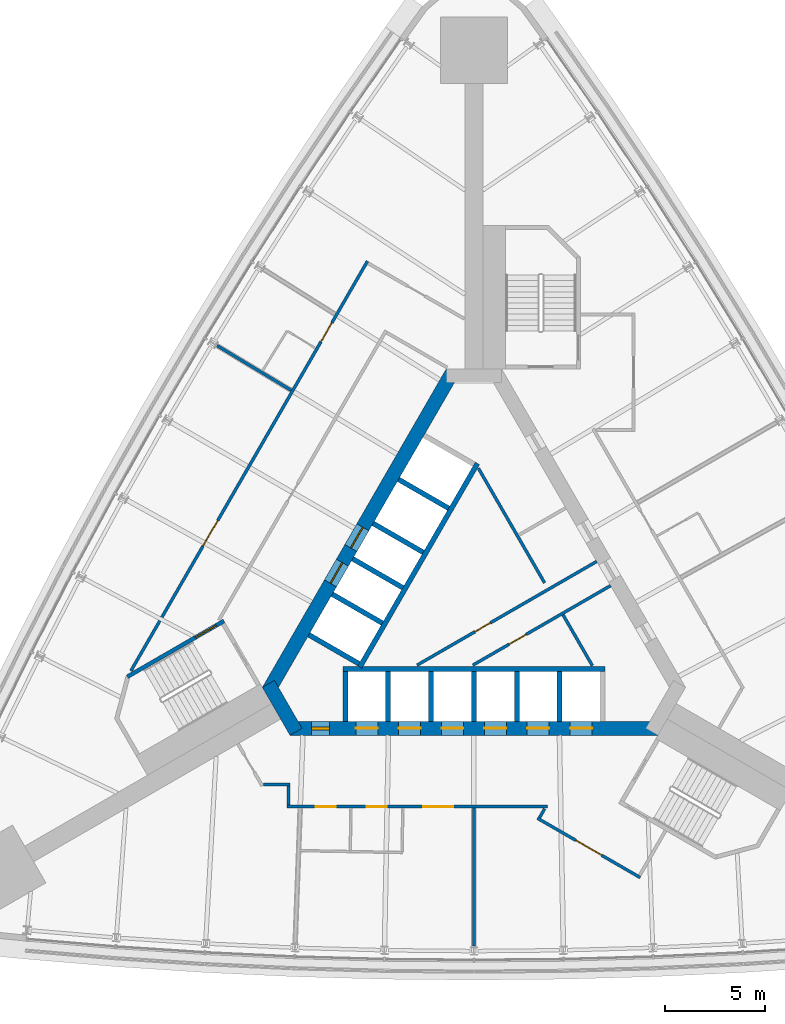
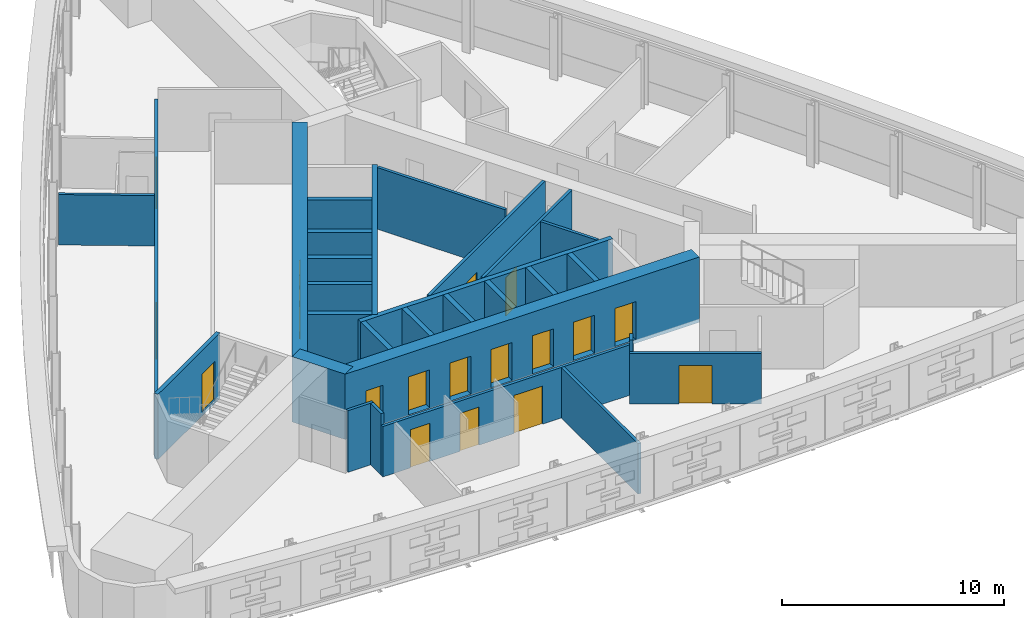
# One storey, part 10 of 14: 29 walls, 18 doors, 18 openings.
"""IFC4 building model written with IfcOpenShell, lengths in metres."""

from ifc_helpers import new_model, si_unit, direction, frame, frame_2d, origin, place, context, subcontext, project, spatial, rectangle, extrude, material, layer, layer_set, type_object, element, fill, save


model = new_model("IFC4")

# Units and contexts
model_context = context("Model", 3, precision=1e-05, world=origin(), true_north=direction((0.0, 1.0)))
body_context = subcontext(model_context, "Body", "Model", "MODEL_VIEW")
ifc_project = project(units=[si_unit("LENGTHUNIT", "METRE"), si_unit("AREAUNIT", "SQUARE_METRE"), si_unit("VOLUMEUNIT", "CUBIC_METRE"), si_unit("PLANEANGLEUNIT", "RADIAN"), si_unit("MASSUNIT", "GRAM", prefix="KILO")], contexts=[model_context])

# Site, building, storey
site_placement = place(None, origin())
site = spatial("IfcSite", under=ifc_project, at=site_placement, CompositionType="ELEMENT")
building_placement = place(site_placement, origin())
building = spatial("IfcBuilding", under=site, at=building_placement, Name="Noor Cloister Tower", CompositionType="ELEMENT")
storey_placement = place(building_placement, frame((0.0, 0.0, 42.0)))
storey = spatial("IfcBuildingStorey", under=building, at=storey_placement, Name="L10", CompositionType="ELEMENT", Elevation=42.0)

# Wall, opening, door
ifc_material_1 = material(Name="Concrete C30/37", Category="concrete")
ifc_layer_1 = layer(ifc_material_1, 0.14990234375)
ifc_layer_set_1 = layer_set([ifc_layer_1], Name="Core partition 150 C30/37")
wall_type_1 = type_object("IfcWallType", Name="Core partition 150 C30/37", PredefinedType="PARTITIONING", material=ifc_layer_set_1)
wall_1_placement = place(storey_placement, frame((-2.8544921875, -3.4130859375, 0.0), z_axis=(0.0, 0.0, 1.0), x_axis=(0.866030102318, 0.499991861813, 0.0)))
wall_1 = element("IfcWall", 1, at=wall_1_placement, inside=storey, type_object=wall_type_1, Name="Core room partition L10 1", PredefinedType="PARTITIONING", context=body_context, shape_type="SweptSolid", body=[
    extrude(rectangle(XDim=10.406982421875, YDim=0.14990234375, at=frame_2d((5.20361328125, 0.0))), origin(), (0.0, 0.0, 1.0), 3.39990234375),
])
opening_1_placement = place(wall_1_placement, frame((3.3544921875, 0.0, 0.0)))
opening_1 = element("IfcOpeningElement", 2, at=opening_1_placement, cuts=wall_1, Name="Opening L10-906", PredefinedType="OPENING", context=body_context, shape_type="SweptSolid", body=[
    extrude(rectangle(XDim=0.89990234375, YDim=2.10009765625, at=frame_2d((0.449951171875, 1.050048828125))), frame((0.0, 0.0849609375, 0.0), z_axis=(0.0, -1.0, 0.0), x_axis=(1.0, 0.0, 0.0)), (0.0, 0.0, 1.0), 0.169921875),
])
ifc_material_2 = material(Name="Steel", Category="steel")
door_type_1 = type_object("IfcDoorType", Name="Core door 900 x 2100 FD120", OperationType="SINGLE_SWING_LEFT", PredefinedType="DOOR", material=ifc_material_2)
door_1_placement = place(opening_1_placement, origin())
door_1 = element("IfcDoor", 3, at=door_1_placement, inside=storey, type_object=door_type_1, Name="Core door 6 L10", OperationType="SINGLE_SWING_RIGHT", OverallHeight=2.10009765625, OverallWidth=0.89990234375, PredefinedType="DOOR", context=body_context, shape_type="SweptSolid", body=[
    extrude(rectangle(XDim=0.89990234375, YDim=2.10009765625, at=frame_2d((0.449951171875, 1.050048828125))), frame((0.0, 0.02490234375, 0.0), z_axis=(0.0, -1.0, 0.0), x_axis=(1.0, 0.0, 0.0)), (0.0, 0.0, 1.0), 0.050048828125),
])
fill(opening_1, door_1)

# Wall
wall_2_placement = place(storey_placement, frame((5.944091796875, -3.439208984375, 0.0), z_axis=(0.0, 0.0, 1.0), x_axis=(-0.499997367627, 0.86602692358, 0.0)))
element("IfcWall", 4, at=wall_2_placement, inside=storey, type_object=wall_type_1, Name="Core room partition L10 2", PredefinedType="PARTITIONING", context=body_context, shape_type="SweptSolid", body=[
    extrude(rectangle(XDim=2.94677734375, YDim=0.14990234375, at=frame_2d((1.473388671875, 0.0))), origin(), (0.0, 0.0, 1.0), 3.39990234375),
])

# Wall, opening, door
wall_3_placement = place(storey_placement, frame((-0.054443359375, -3.4130859375, 0.0), z_axis=(0.0, 0.0, 1.0), x_axis=(0.866026668906, 0.499997808738, 0.0)))
wall_3 = element("IfcWall", 5, at=wall_3_placement, inside=storey, type_object=wall_type_1, Name="Core room partition L10 3", PredefinedType="PARTITIONING", context=body_context, shape_type="SweptSolid", body=[
    extrude(rectangle(XDim=7.98193359375, YDim=0.14990234375, at=frame_2d((3.990966796875, 0.0))), origin(), (0.0, 0.0, 1.0), 3.39990234375),
])
opening_2_placement = place(wall_3_placement, frame((2.092041015625, 0.0, 0.0)))
opening_2 = element("IfcOpeningElement", 6, at=opening_2_placement, cuts=wall_3, Name="Opening L10-905", PredefinedType="OPENING", context=body_context, shape_type="SweptSolid", body=[
    extrude(rectangle(XDim=1.0, YDim=2.10009765625, at=frame_2d((0.5, 1.050048828125))), frame((0.0, 0.0849609375, 0.0), z_axis=(0.0, -1.0, 0.0), x_axis=(1.0, 0.0, 0.0)), (0.0, 0.0, 1.0), 0.169921875),
])
ifc_material_3 = material(Name="Steel", Category="steel")
door_type_2 = type_object("IfcDoorType", Name="Core door 1000 x 2100 FD60", OperationType="SINGLE_SWING_LEFT", PredefinedType="DOOR", material=ifc_material_3)
door_2_placement = place(opening_2_placement, origin())
door_2 = element("IfcDoor", 7, at=door_2_placement, inside=storey, type_object=door_type_2, Name="Core door 5 L10", OperationType="SINGLE_SWING_LEFT", OverallHeight=2.10009765625, OverallWidth=1.0, PredefinedType="DOOR", context=body_context, shape_type="SweptSolid", body=[
    extrude(rectangle(XDim=1.0, YDim=2.10009765625, at=frame_2d((0.5, 1.050048828125))), frame((0.0, 0.02490234375, 0.0), z_axis=(0.0, -1.0, 0.0), x_axis=(1.0, 0.0, 0.0)), (0.0, 0.0, 1.0), 0.050048828125),
])
fill(opening_2, door_2)

# Wall
wall_4_placement = place(storey_placement, frame((3.5458984375, 0.715087890625, 0.0), z_axis=(0.0, 0.0, 1.0), x_axis=(-0.50002895357, 0.866008686788, 0.0)))
element("IfcWall", 8, at=wall_4_placement, inside=storey, type_object=wall_type_1, Name="Core room partition L10 4", PredefinedType="PARTITIONING", context=body_context, shape_type="SweptSolid", body=[
    extrude(rectangle(XDim=6.64208984375, YDim=0.14990234375, at=frame_2d((3.321044921875, 0.0))), origin(), (0.0, 0.0, 1.0), 3.39990234375),
])

# Wall, openings, doors
ifc_material_4 = material(Name="Concrete C80/95", Category="concrete")
ifc_layer_2 = layer(ifc_material_4, 0.699951171875)
ifc_layer_set_2 = layer_set([ifc_layer_2], Name="Core wall 700 C80/95")
wall_type_2 = type_object("IfcWallType", Name="Core wall 700 C80/95", PredefinedType="SHEAR", material=ifc_layer_set_2)
wall_5_placement = place(storey_placement, frame((-9.228759765625, -6.578125, -0.199951171875), z_axis=(0.0, 0.0, 1.0), x_axis=(1.0, 0.0, 0.0)))
wall_5 = element("IfcWall", 9, at=wall_5_placement, inside=storey, type_object=wall_type_2, Name="Core wall L10 1", PredefinedType="SHEAR", context=body_context, shape_type="SweptSolid", body=[
    extrude(rectangle(XDim=18.45751953125, YDim=0.699951171875, at=frame_2d((9.228759765625, 0.0))), origin(), (0.0, 0.0, 1.0), 3.599853515625),
])
opening_3_placement = place(wall_5_placement, frame((3.3037109375, 0.0, 0.199951171875)))
opening_3 = element("IfcOpeningElement", 10, at=opening_3_placement, cuts=wall_5, Name="Opening L10-LR1", PredefinedType="OPENING", context=body_context, shape_type="SweptSolid", body=[
    extrude(rectangle(XDim=1.10009765625, YDim=2.10009765625, at=frame_2d((0.550048828125, 1.050048828125))), frame((0.0, 0.35986328125, 0.0), z_axis=(0.0, -1.0, 0.0), x_axis=(1.0, 0.0, 0.0)), (0.0, 0.0, 1.0), 0.719970703125),
])
opening_4_placement = place(wall_5_placement, frame((5.45361328125, 0.0, 0.199951171875)))
opening_4 = element("IfcOpeningElement", 11, at=opening_4_placement, cuts=wall_5, Name="Opening L10-LR2", PredefinedType="OPENING", context=body_context, shape_type="SweptSolid", body=[
    extrude(rectangle(XDim=1.10009765625, YDim=2.10009765625, at=frame_2d((0.550048828125, 1.050048828125))), frame((0.0, 0.35986328125, 0.0), z_axis=(0.0, -1.0, 0.0), x_axis=(1.0, 0.0, 0.0)), (0.0, 0.0, 1.0), 0.719970703125),
])
opening_5_placement = place(wall_5_placement, frame((7.603759765625, 0.0, 0.199951171875)))
opening_5 = element("IfcOpeningElement", 12, at=opening_5_placement, cuts=wall_5, Name="Opening L10-LR3", PredefinedType="OPENING", context=body_context, shape_type="SweptSolid", body=[
    extrude(rectangle(XDim=1.10009765625, YDim=2.10009765625, at=frame_2d((0.550048828125, 1.050048828125))), frame((0.0, 0.35986328125, 0.0), z_axis=(0.0, -1.0, 0.0), x_axis=(1.0, 0.0, 0.0)), (0.0, 0.0, 1.0), 0.719970703125),
])
opening_6_placement = place(wall_5_placement, frame((9.753662109375, 0.0, 0.199951171875)))
opening_6 = element("IfcOpeningElement", 13, at=opening_6_placement, cuts=wall_5, Name="Opening L10-LR4", PredefinedType="OPENING", context=body_context, shape_type="SweptSolid", body=[
    extrude(rectangle(XDim=1.10009765625, YDim=2.10009765625, at=frame_2d((0.550048828125, 1.050048828125))), frame((0.0, 0.35986328125, 0.0), z_axis=(0.0, -1.0, 0.0), x_axis=(1.0, 0.0, 0.0)), (0.0, 0.0, 1.0), 0.719970703125),
])
opening_7_placement = place(wall_5_placement, frame((11.90380859375, 0.0, 0.199951171875)))
opening_7 = element("IfcOpeningElement", 14, at=opening_7_placement, cuts=wall_5, Name="Opening L10-LR5", PredefinedType="OPENING", context=body_context, shape_type="SweptSolid", body=[
    extrude(rectangle(XDim=1.10009765625, YDim=2.10009765625, at=frame_2d((0.550048828125, 1.050048828125))), frame((0.0, 0.35986328125, 0.0), z_axis=(0.0, -1.0, 0.0), x_axis=(1.0, 0.0, 0.0)), (0.0, 0.0, 1.0), 0.719970703125),
])
opening_8_placement = place(wall_5_placement, frame((14.0537109375, 0.0, 0.199951171875)))
opening_8 = element("IfcOpeningElement", 15, at=opening_8_placement, cuts=wall_5, Name="Opening L10-LR6", PredefinedType="OPENING", context=body_context, shape_type="SweptSolid", body=[
    extrude(rectangle(XDim=1.10009765625, YDim=2.10009765625, at=frame_2d((0.550048828125, 1.050048828125))), frame((0.0, 0.35986328125, 0.0), z_axis=(0.0, -1.0, 0.0), x_axis=(1.0, 0.0, 0.0)), (0.0, 0.0, 1.0), 0.719970703125),
])
opening_9_placement = place(wall_5_placement, frame((1.078857421875, 0.0, 0.199951171875)))
opening_9 = element("IfcOpeningElement", 16, at=opening_9_placement, cuts=wall_5, Name="Opening L10-907", PredefinedType="OPENING", context=body_context, shape_type="SweptSolid", body=[
    extrude(rectangle(XDim=0.89990234375, YDim=2.10009765625, at=frame_2d((0.449951171875, 1.050048828125))), frame((0.0, 0.35986328125, 0.0), z_axis=(0.0, -1.0, 0.0), x_axis=(1.0, 0.0, 0.0)), (0.0, 0.0, 1.0), 0.719970703125),
])
ifc_material_5 = material(Name="Steel", Category="steel")
door_type_3 = type_object("IfcDoorType", Name="Core door 900 x 2100 FD60", OperationType="SINGLE_SWING_LEFT", PredefinedType="DOOR", material=ifc_material_5)
door_3_placement = place(opening_9_placement, origin())
door_3 = element("IfcDoor", 17, at=door_3_placement, inside=storey, type_object=door_type_3, Name="Core door 7 L10", OperationType="SINGLE_SWING_LEFT", OverallHeight=2.10009765625, OverallWidth=0.89990234375, PredefinedType="DOOR", context=body_context, shape_type="SweptSolid", body=[
    extrude(rectangle(XDim=0.89990234375, YDim=2.10009765625, at=frame_2d((0.449951171875, 1.050048828125))), frame((0.0, 0.074951171875, 0.0), z_axis=(0.0, -1.0, 0.0), x_axis=(1.0, 0.0, 0.0)), (0.0, 0.0, 1.0), 0.14990234375),
])
fill(opening_9, door_3)
ifc_material_6 = material(Name="Stainless steel", Category="steel")
door_type_4 = type_object("IfcDoorType", Name="Lift landing door 1100 x 2100", OperationType="DOUBLE_DOOR_SLIDING", PredefinedType="DOOR", material=ifc_material_6)
door_4_placement = place(opening_3_placement, origin())
door_4 = element("IfcDoor", 18, at=door_4_placement, inside=storey, type_object=door_type_4, Name="Landing door LR1 L10", OperationType="DOUBLE_DOOR_SLIDING", OverallHeight=2.10009765625, OverallWidth=1.10009765625, PredefinedType="DOOR", context=body_context, shape_type="SweptSolid", body=[
    extrude(rectangle(XDim=1.10009765625, YDim=2.10009765625, at=frame_2d((0.550048828125, 1.050048828125))), frame((0.0, 0.02490234375, 0.0), z_axis=(0.0, -1.0, 0.0), x_axis=(1.0, 0.0, 0.0)), (0.0, 0.0, 1.0), 0.050048828125),
])
fill(opening_3, door_4)
door_5_placement = place(opening_4_placement, origin())
door_5 = element("IfcDoor", 19, at=door_5_placement, inside=storey, type_object=door_type_4, Name="Landing door LR2 L10", OperationType="DOUBLE_DOOR_SLIDING", OverallHeight=2.10009765625, OverallWidth=1.10009765625, PredefinedType="DOOR", context=body_context, shape_type="SweptSolid", body=[
    extrude(rectangle(XDim=1.10009765625, YDim=2.10009765625, at=frame_2d((0.550048828125, 1.050048828125))), frame((0.0, 0.02490234375, 0.0), z_axis=(0.0, -1.0, 0.0), x_axis=(1.0, 0.0, 0.0)), (0.0, 0.0, 1.0), 0.050048828125),
])
fill(opening_4, door_5)
door_6_placement = place(opening_5_placement, origin())
door_6 = element("IfcDoor", 20, at=door_6_placement, inside=storey, type_object=door_type_4, Name="Landing door LR3 L10", OperationType="DOUBLE_DOOR_SLIDING", OverallHeight=2.10009765625, OverallWidth=1.10009765625, PredefinedType="DOOR", context=body_context, shape_type="SweptSolid", body=[
    extrude(rectangle(XDim=1.10009765625, YDim=2.10009765625, at=frame_2d((0.550048828125, 1.050048828125))), frame((0.0, 0.02490234375, 0.0), z_axis=(0.0, -1.0, 0.0), x_axis=(1.0, 0.0, 0.0)), (0.0, 0.0, 1.0), 0.050048828125),
])
fill(opening_5, door_6)
door_7_placement = place(opening_6_placement, origin())
door_7 = element("IfcDoor", 21, at=door_7_placement, inside=storey, type_object=door_type_4, Name="Landing door LR4 L10", OperationType="DOUBLE_DOOR_SLIDING", OverallHeight=2.10009765625, OverallWidth=1.10009765625, PredefinedType="DOOR", context=body_context, shape_type="SweptSolid", body=[
    extrude(rectangle(XDim=1.10009765625, YDim=2.10009765625, at=frame_2d((0.550048828125, 1.050048828125))), frame((0.0, 0.02490234375, 0.0), z_axis=(0.0, -1.0, 0.0), x_axis=(1.0, 0.0, 0.0)), (0.0, 0.0, 1.0), 0.050048828125),
])
fill(opening_6, door_7)
door_8_placement = place(opening_7_placement, origin())
door_8 = element("IfcDoor", 22, at=door_8_placement, inside=storey, type_object=door_type_4, Name="Landing door LR5 L10", OperationType="DOUBLE_DOOR_SLIDING", OverallHeight=2.10009765625, OverallWidth=1.10009765625, PredefinedType="DOOR", context=body_context, shape_type="SweptSolid", body=[
    extrude(rectangle(XDim=1.10009765625, YDim=2.10009765625, at=frame_2d((0.550048828125, 1.050048828125))), frame((0.0, 0.02490234375, 0.0), z_axis=(0.0, -1.0, 0.0), x_axis=(1.0, 0.0, 0.0)), (0.0, 0.0, 1.0), 0.050048828125),
])
fill(opening_7, door_8)
door_9_placement = place(opening_8_placement, origin())
door_9 = element("IfcDoor", 23, at=door_9_placement, inside=storey, type_object=door_type_4, Name="Landing door LR6 L10", OperationType="DOUBLE_DOOR_SLIDING", OverallHeight=2.10009765625, OverallWidth=1.10009765625, PredefinedType="DOOR", context=body_context, shape_type="SweptSolid", body=[
    extrude(rectangle(XDim=1.10009765625, YDim=2.10009765625, at=frame_2d((0.550048828125, 1.050048828125))), frame((0.0, 0.02490234375, 0.0), z_axis=(0.0, -1.0, 0.0), x_axis=(1.0, 0.0, 0.0)), (0.0, 0.0, 1.0), 0.050048828125),
])
fill(opening_8, door_9)

wall_6_placement = place(storey_placement, frame((-1.08251953125, 11.281494140625, -0.199951171875), z_axis=(0.0, 0.0, 1.0), x_axis=(-0.500001446645, -0.866024568562, 0.0)))
wall_6 = element("IfcWall", 24, at=wall_6_placement, inside=storey, type_object=wall_type_2, Name="Core wall L10 5", PredefinedType="SHEAR", context=body_context, shape_type="SweptSolid", body=[
    extrude(rectangle(XDim=18.45751953125, YDim=0.699951171875, at=frame_2d((9.228759765625, 0.0))), origin(), (0.0, 0.0, 1.0), 3.599853515625),
])
opening_10_placement = place(wall_6_placement, frame((8.978759765625, 0.0, 0.199951171875)))
opening_10 = element("IfcOpeningElement", 25, at=opening_10_placement, cuts=wall_6, Name="Opening L10-FF1", PredefinedType="OPENING", context=body_context, shape_type="SweptSolid", body=[
    extrude(rectangle(XDim=1.199951171875, YDim=2.10009765625, at=frame_2d((0.60009765625, 1.050048828125))), frame((0.0, 0.35986328125, 0.0), z_axis=(0.0, -1.0, 0.0), x_axis=(1.0, 0.0, 0.0)), (0.0, 0.0, 1.0), 0.719970703125),
])
opening_11_placement = place(wall_6_placement, frame((11.02880859375, 0.0, 0.199951171875)))
opening_11 = element("IfcOpeningElement", 26, at=opening_11_placement, cuts=wall_6, Name="Opening L10-FF2", PredefinedType="OPENING", context=body_context, shape_type="SweptSolid", body=[
    extrude(rectangle(XDim=1.199951171875, YDim=2.10009765625, at=frame_2d((0.60009765625, 1.050048828125))), frame((0.0, 0.35986328125, 0.0), z_axis=(0.0, -1.0, 0.0), x_axis=(1.0, 0.0, 0.0)), (0.0, 0.0, 1.0), 0.719970703125),
])
ifc_material_7 = material(Name="Stainless steel", Category="steel")
door_type_5 = type_object("IfcDoorType", Name="Lift landing door 1200 x 2100", OperationType="DOUBLE_DOOR_SLIDING", PredefinedType="DOOR", material=ifc_material_7)
door_10_placement = place(opening_10_placement, origin())
door_10 = element("IfcDoor", 27, at=door_10_placement, inside=storey, type_object=door_type_5, Name="Landing door FF1 L10", OperationType="DOUBLE_DOOR_SLIDING", OverallHeight=2.10009765625, OverallWidth=1.199951171875, PredefinedType="DOOR", context=body_context, shape_type="SweptSolid", body=[
    extrude(rectangle(XDim=1.199951171875, YDim=2.10009765625, at=frame_2d((0.60009765625, 1.050048828125))), frame((0.0, 0.02490234375, 0.0), z_axis=(0.0, -1.0, 0.0), x_axis=(1.0, 0.0, 0.0)), (0.0, 0.0, 1.0), 0.050048828125),
])
fill(opening_10, door_10)
door_11_placement = place(opening_11_placement, origin())
door_11 = element("IfcDoor", 28, at=door_11_placement, inside=storey, type_object=door_type_5, Name="Landing door FF2 L10", OperationType="DOUBLE_DOOR_SLIDING", OverallHeight=2.10009765625, OverallWidth=1.199951171875, PredefinedType="DOOR", context=body_context, shape_type="SweptSolid", body=[
    extrude(rectangle(XDim=1.199951171875, YDim=2.10009765625, at=frame_2d((0.60009765625, 1.050048828125))), frame((0.0, 0.02490234375, 0.0), z_axis=(0.0, -1.0, 0.0), x_axis=(1.0, 0.0, 0.0)), (0.0, 0.0, 1.0), 0.050048828125),
])
fill(opening_11, door_11)

# Wall
wall_7_placement = place(storey_placement, frame((-10.311279296875, -4.353271484375, -0.199951171875), z_axis=(0.0, 0.0, 1.0), x_axis=(0.500042739161, -0.866000726912, 0.0)))
element("IfcWall", 29, at=wall_7_placement, inside=storey, type_object=wall_type_2, Name="Core wall L10 6", PredefinedType="SHEAR", context=body_context, shape_type="SweptSolid", body=[
    extrude(rectangle(XDim=2.771240234375, YDim=0.699951171875, at=frame_2d((1.3857421875, 0.0))), origin(), (0.0, 0.0, 1.0), 3.599853515625),
])

# Wall, openings, doors
ifc_material_8 = material(Name="Gypsum board partition on steel studs, 150 mm", Category="steel")
ifc_layer_3 = layer(ifc_material_8, 0.14990234375)
ifc_layer_set_3 = layer_set([ifc_layer_3], Name="Flat wall 150")
wall_type_3 = type_object("IfcWallType", Name="Flat wall 150", PredefinedType="PARTITIONING", material=ifc_layer_set_3)
wall_8_placement = place(storey_placement, frame((-17.208251953125, -3.69921875, 0.0), z_axis=(0.0, 0.0, 1.0), x_axis=(0.499997567621, 0.866026808115, 0.0)))
wall_8 = element("IfcWall", 30, at=wall_8_placement, inside=storey, type_object=wall_type_3, Name="Flat wall 150 L10 001", PredefinedType="PARTITIONING", context=body_context, shape_type="SweptSolid", body=[
    extrude(rectangle(XDim=23.736328125, YDim=0.14990234375, at=frame_2d((11.8681640625, 0.0))), origin(), (0.0, 0.0, 1.0), 2.778076171875),
])
opening_12_placement = place(wall_8_placement, frame((19.069580078125, 0.0, 0.0)))
opening_12 = element("IfcOpeningElement", 31, at=opening_12_placement, cuts=wall_8, Name="Opening L10-001", PredefinedType="OPENING", context=body_context, shape_type="SweptSolid", body=[
    extrude(rectangle(XDim=1.10009765625, YDim=2.10009765625, at=frame_2d((0.550048828125, 1.050048828125))), frame((0.0, 0.0849609375, 0.0), z_axis=(0.0, -1.0, 0.0), x_axis=(1.0, 0.0, 0.0)), (0.0, 0.0, 1.0), 0.169921875),
])
opening_13_placement = place(wall_8_placement, frame((7.224853515625, 0.0, 0.0)))
opening_13 = element("IfcOpeningElement", 32, at=opening_13_placement, cuts=wall_8, Name="Opening L10-002", PredefinedType="OPENING", context=body_context, shape_type="SweptSolid", body=[
    extrude(rectangle(XDim=1.5, YDim=2.10009765625, at=frame_2d((0.75, 1.050048828125))), frame((0.0, 0.0849609375, 0.0), z_axis=(0.0, -1.0, 0.0), x_axis=(1.0, 0.0, 0.0)), (0.0, 0.0, 1.0), 0.169921875),
])
ifc_material_9 = material(Name="Timber door leaf with steel frame", Category="steel")
door_type_6 = type_object("IfcDoorType", Name="Double door 1500 FD60", OperationType="NOTDEFINED", PredefinedType="DOOR", material=ifc_material_9)
door_12_placement = place(opening_13_placement, origin())
door_12 = element("IfcDoor", 33, at=door_12_placement, inside=storey, type_object=door_type_6, Name="Double door 1500 L10-002", OperationType="DOUBLE_DOOR_SINGLE_SWING", OverallHeight=2.10009765625, OverallWidth=1.5, PredefinedType="DOOR", context=body_context, shape_type="SweptSolid", body=[
    extrude(rectangle(XDim=1.5, YDim=2.10009765625, at=frame_2d((0.75, 1.050048828125))), frame((0.0, 0.02490234375, 0.0), z_axis=(0.0, -1.0, 0.0), x_axis=(1.0, 0.0, 0.0)), (0.0, 0.0, 1.0), 0.050048828125),
])
fill(opening_13, door_12)
ifc_material_10 = material(Name="Timber door leaf with steel frame", Category="steel")
door_type_7 = type_object("IfcDoorType", Name="Resident room door 1100", OperationType="NOTDEFINED", PredefinedType="DOOR", material=ifc_material_10)
door_13_placement = place(opening_12_placement, origin())
door_13 = element("IfcDoor", 34, at=door_13_placement, inside=storey, type_object=door_type_7, Name="Resident room door 1100 L10-001", OperationType="SINGLE_SWING_RIGHT", OverallHeight=2.10009765625, OverallWidth=1.10009765625, PredefinedType="DOOR", context=body_context, shape_type="SweptSolid", body=[
    extrude(rectangle(XDim=1.10009765625, YDim=2.10009765625, at=frame_2d((0.550048828125, 1.050048828125))), frame((0.0, 0.02490234375, 0.0), z_axis=(0.0, -1.0, 0.0), x_axis=(1.0, 0.0, 0.0)), (0.0, 0.0, 1.0), 0.050048828125),
])
fill(opening_12, door_13)

wall_9_placement = place(storey_placement, frame((3.68896484375, -10.503173828125, 0.0), z_axis=(0.0, 0.0, 1.0), x_axis=(-1.0, 0.0, 0.0)))
wall_9 = element("IfcWall", 35, at=wall_9_placement, inside=storey, type_object=wall_type_3, Name="Flat wall 150 L10 004", PredefinedType="PARTITIONING", context=body_context, shape_type="SweptSolid", body=[
    extrude(rectangle(XDim=13.067626953125, YDim=0.14990234375, at=frame_2d((6.53369140625, 0.0))), origin(), (0.0, 0.0, 1.0), 2.778076171875),
])
opening_14_placement = place(wall_9_placement, frame((10.61669921875, 0.0, 0.0)))
opening_14 = element("IfcOpeningElement", 36, at=opening_14_placement, cuts=wall_9, Name="Opening L10-006", PredefinedType="OPENING", context=body_context, shape_type="SweptSolid", body=[
    extrude(rectangle(XDim=1.0, YDim=2.10009765625, at=frame_2d((0.5, 1.050048828125))), frame((0.0, 0.0849609375, 0.0), z_axis=(0.0, -1.0, 0.0), x_axis=(1.0, 0.0, 0.0)), (0.0, 0.0, 1.0), 0.169921875),
])
opening_15_placement = place(wall_9_placement, frame((8.054443359375, 0.0, 0.0)))
opening_15 = element("IfcOpeningElement", 37, at=opening_15_placement, cuts=wall_9, Name="Opening L10-007", PredefinedType="OPENING", context=body_context, shape_type="SweptSolid", body=[
    extrude(rectangle(XDim=1.0, YDim=2.10009765625, at=frame_2d((0.5, 1.050048828125))), frame((0.0, 0.0849609375, 0.0), z_axis=(0.0, -1.0, 0.0), x_axis=(1.0, 0.0, 0.0)), (0.0, 0.0, 1.0), 0.169921875),
])
opening_16_placement = place(wall_9_placement, frame((4.734130859375, 0.0, 0.0)))
opening_16 = element("IfcOpeningElement", 38, at=opening_16_placement, cuts=wall_9, Name="Opening L10-008", PredefinedType="OPENING", context=body_context, shape_type="SweptSolid", body=[
    extrude(rectangle(XDim=1.5, YDim=2.10009765625, at=frame_2d((0.75, 1.050048828125))), frame((0.0, 0.0849609375, 0.0), z_axis=(0.0, -1.0, 0.0), x_axis=(1.0, 0.0, 0.0)), (0.0, 0.0, 1.0), 0.169921875),
])
ifc_material_11 = material(Name="Timber door leaf with steel frame", Category="steel")
door_type_8 = type_object("IfcDoorType", Name="Accessible WC door 1000", OperationType="NOTDEFINED", PredefinedType="DOOR", material=ifc_material_11)
door_14_placement = place(opening_14_placement, origin())
door_14 = element("IfcDoor", 39, at=door_14_placement, inside=storey, type_object=door_type_8, Name="Accessible WC door 1000 L10-006", OperationType="SINGLE_SWING_RIGHT", OverallHeight=2.10009765625, OverallWidth=1.0, PredefinedType="DOOR", context=body_context, shape_type="SweptSolid", body=[
    extrude(rectangle(XDim=1.0, YDim=2.10009765625, at=frame_2d((0.5, 1.050048828125))), frame((0.0, 0.02490234375, 0.0), z_axis=(0.0, -1.0, 0.0), x_axis=(1.0, 0.0, 0.0)), (0.0, 0.0, 1.0), 0.050048828125),
])
fill(opening_14, door_14)
door_15_placement = place(opening_16_placement, origin())
door_15 = element("IfcDoor", 40, at=door_15_placement, inside=storey, type_object=door_type_6, Name="Double door 1500 L10-008", OperationType="DOUBLE_DOOR_SINGLE_SWING", OverallHeight=2.10009765625, OverallWidth=1.5, PredefinedType="DOOR", context=body_context, shape_type="SweptSolid", body=[
    extrude(rectangle(XDim=1.5, YDim=2.10009765625, at=frame_2d((0.75, 1.050048828125))), frame((0.0, 0.02490234375, 0.0), z_axis=(0.0, -1.0, 0.0), x_axis=(1.0, 0.0, 0.0)), (0.0, 0.0, 1.0), 0.050048828125),
])
fill(opening_16, door_15)
ifc_material_12 = material(Name="Timber door leaf with steel frame", Category="steel")
door_type_9 = type_object("IfcDoorType", Name="Interior door 1000 FD60", OperationType="NOTDEFINED", PredefinedType="DOOR", material=ifc_material_12)
door_16_placement = place(opening_15_placement, origin())
door_16 = element("IfcDoor", 41, at=door_16_placement, inside=storey, type_object=door_type_9, Name="Interior door 1000 L10-007", OperationType="SINGLE_SWING_RIGHT", OverallHeight=2.10009765625, OverallWidth=1.0, PredefinedType="DOOR", context=body_context, shape_type="SweptSolid", body=[
    extrude(rectangle(XDim=1.0, YDim=2.10009765625, at=frame_2d((0.5, 1.050048828125))), frame((0.0, 0.02490234375, 0.0), z_axis=(0.0, -1.0, 0.0), x_axis=(1.0, 0.0, 0.0)), (0.0, 0.0, 1.0), 0.050048828125),
])
fill(opening_15, door_16)

# Wall, opening, door
wall_10_placement = place(storey_placement, frame((8.341064453125, -14.065673828125, 0.0), z_axis=(0.0, 0.0, 1.0), x_axis=(-0.866017493347, 0.500013701029, 0.0)))
wall_10 = element("IfcWall", 42, at=wall_10_placement, inside=storey, type_object=wall_type_3, Name="Flat wall 150 L10 006", PredefinedType="PARTITIONING", context=body_context, shape_type="SweptSolid", body=[
    extrude(rectangle(XDim=5.949951171875, YDim=0.14990234375, at=frame_2d((2.97509765625, 0.0))), origin(), (0.0, 0.0, 1.0), 2.778076171875),
])
opening_17_placement = place(wall_10_placement, frame((2.22509765625, 0.0, 0.0)))
opening_17 = element("IfcOpeningElement", 43, at=opening_17_placement, cuts=wall_10, Name="Opening L10-010", PredefinedType="OPENING", context=body_context, shape_type="SweptSolid", body=[
    extrude(rectangle(XDim=1.5, YDim=2.10009765625, at=frame_2d((0.75, 1.050048828125))), frame((0.0, 0.0849609375, 0.0), z_axis=(0.0, -1.0, 0.0), x_axis=(1.0, 0.0, 0.0)), (0.0, 0.0, 1.0), 0.169921875),
])
door_17_placement = place(opening_17_placement, origin())
door_17 = element("IfcDoor", 44, at=door_17_placement, inside=storey, type_object=door_type_6, Name="Double door 1500 L10-010", OperationType="DOUBLE_DOOR_SINGLE_SWING", OverallHeight=2.10009765625, OverallWidth=1.5, PredefinedType="DOOR", context=body_context, shape_type="SweptSolid", body=[
    extrude(rectangle(XDim=1.5, YDim=2.10009765625, at=frame_2d((0.75, 1.050048828125))), frame((0.0, 0.02490234375, 0.0), z_axis=(0.0, -1.0, 0.0), x_axis=(1.0, 0.0, 0.0)), (0.0, 0.0, 1.0), 0.050048828125),
])
fill(opening_17, door_17)

# Walls
wall_11_placement = place(storey_placement, frame((-10.55517578125, -9.4033203125, 0.0), z_axis=(0.0, 0.0, 1.0), x_axis=(1.0, 0.0, 0.0)))
element("IfcWall", 45, at=wall_11_placement, inside=storey, type_object=wall_type_3, Name="Flat wall 150 L10 014", PredefinedType="PARTITIONING", context=body_context, shape_type="SweptSolid", body=[
    extrude(rectangle(XDim=1.326416015625, YDim=0.14990234375, at=frame_2d((0.6630859375, 0.0))), origin(), (0.0, 0.0, 1.0), 3.39990234375),
])
wall_12_placement = place(storey_placement, frame((-9.3037109375, -10.42822265625, 0.0), z_axis=(0.0, 0.0, 1.0), x_axis=(0.0, 1.0, 0.0)))
element("IfcWall", 46, at=wall_12_placement, inside=storey, type_object=wall_type_3, Name="Flat wall 150 L10 015", PredefinedType="PARTITIONING", context=body_context, shape_type="SweptSolid", body=[
    extrude(rectangle(XDim=0.949951171875, YDim=0.14990234375, at=frame_2d((0.47509765625, 0.0))), origin(), (0.0, 0.0, 1.0), 3.39990234375),
])
wall_13_placement = place(storey_placement, frame((3.290771484375, -11.063232421875, 0.0), z_axis=(0.0, 0.0, 1.0), x_axis=(0.499899694197, 0.866083307622, 0.0)))
element("IfcWall", 47, at=wall_13_placement, inside=storey, type_object=wall_type_3, Name="Flat wall 150 L10 016", PredefinedType="PARTITIONING", context=body_context, shape_type="SweptSolid", body=[
    extrude(rectangle(XDim=0.5166015625, YDim=0.14990234375, at=frame_2d((0.25830078125, 0.0))), origin(), (0.0, 0.0, 1.0), 3.39990234375),
])
wall_14_placement = place(storey_placement, frame((0.0, -17.5068359375, 0.0), z_axis=(0.0, 0.0, 1.0), x_axis=(0.0, 1.0, 0.0)))
element("IfcWall", 48, at=wall_14_placement, inside=storey, type_object=wall_type_3, Name="Flat wall 150 L10 019", PredefinedType="PARTITIONING", context=body_context, shape_type="SweptSolid", body=[
    extrude(rectangle(XDim=6.9287109375, YDim=0.14990234375, at=frame_2d((3.46435546875, 0.0))), origin(), (0.0, 0.0, 1.0), 2.778076171875),
])
wall_15_placement = place(storey_placement, frame((-12.882568359375, 12.6162109375, 0.0), z_axis=(0.0, 0.0, 1.0), x_axis=(0.856527594015, -0.51610123105, 0.0)))
element("IfcWall", 49, at=wall_15_placement, inside=storey, type_object=wall_type_3, Name="Flat wall 150 L10 021", PredefinedType="PARTITIONING", context=body_context, shape_type="SweptSolid", body=[
    extrude(rectangle(XDim=4.3359375, YDim=0.14990234375, at=frame_2d((2.16796875, 0.0))), origin(), (0.0, 0.0, 1.0), 2.778076171875),
])
ifc_material_13 = material(Name="Concrete C80/95", Category="concrete")
ifc_layer_4 = layer(ifc_material_13, 0.25)
ifc_layer_set_4 = layer_set([ifc_layer_4], Name="Shaft wall 250 C80/95")
wall_type_4 = type_object("IfcWallType", Name="Shaft wall 250 C80/95", PredefinedType="PARTITIONING", material=ifc_layer_set_4)
for number, where, z_axis, x_axis, name in (
    (50, (-6.449951171875, -6.228271484375, -0.199951171875), (0.0, 0.0, 1.0), (0.0, 1.0, 0.0), "Lift shaft wall L10 S 1"),
    (51, (-4.300048828125, -6.228271484375, -0.199951171875), (0.0, 0.0, 1.0), (0.0, 1.0, 0.0), "Lift shaft wall L10 S 2"),
    (52, (-2.14990234375, -6.228271484375, -0.199951171875), (0.0, 0.0, 1.0), (0.0, 1.0, 0.0), "Lift shaft wall L10 S 3"),
    (53, (0.0, -6.228271484375, -0.199951171875), (0.0, 0.0, 1.0), (0.0, 1.0, 0.0), "Lift shaft wall L10 S 4"),
    (54, (2.14990234375, -6.228271484375, -0.199951171875), (0.0, 0.0, 1.0), (0.0, 1.0, 0.0), "Lift shaft wall L10 S 5"),
    (55, (4.300048828125, -6.228271484375, -0.199951171875), (0.0, 0.0, 1.0), (0.0, 1.0, 0.0), "Lift shaft wall L10 S 6"),
):
    element("IfcWall", number, at=place(storey_placement, frame(where, z_axis=z_axis, x_axis=x_axis)), inside=storey, type_object=wall_type_4, Name=name, PredefinedType="PARTITIONING", context=body_context, shape_type="SweptSolid", body=[
        extrude(rectangle(XDim=2.5, YDim=0.25, at=frame_2d((1.25, 0.0))), origin(), (0.0, 0.0, 1.0), 3.599853515625),
    ])
wall_16_placement = place(storey_placement, frame((-6.574951171875, -3.603271484375, 0.0), z_axis=(0.0, 0.0, 1.0), x_axis=(1.0, 0.0, 0.0)))
element("IfcWall", 56, at=wall_16_placement, inside=storey, type_object=wall_type_4, Name="Lift shaft back wall L10 S", PredefinedType="PARTITIONING", context=body_context, shape_type="SweptSolid", body=[
    extrude(rectangle(XDim=13.14990234375, YDim=0.25, at=frame_2d((6.574951171875, 0.0))), origin(), (0.0, 0.0, 1.0), 3.39990234375),
])
for number, where, z_axis, x_axis, name in (
    (57, (-3.78125, 5.906982421875, -0.199951171875), (0.0, 0.0, 1.0), (0.866032775405, -0.499987231761, 0.0), "Lift shaft wall L10 NW 2"),
    (58, (-5.056396484375, 3.69873046875, -0.199951171875), (0.0, 0.0, 1.0), (0.866032775405, -0.499987231761, 0.0), "Lift shaft wall L10 NW 3"),
    (59, (-6.081298828125, 1.92333984375, -0.199951171875), (0.0, 0.0, 1.0), (0.866032775405, -0.499987231761, 0.0), "Lift shaft wall L10 NW 4"),
    (60, (-7.106201171875, 0.14794921875, -0.199951171875), (0.0, 0.0, 1.0), (0.866032775405, -0.499987231761, 0.0), "Lift shaft wall L10 NW 5"),
    (61, (-8.28125, -1.88720703125, -0.199951171875), (0.0, 0.0, 1.0), (0.866032775405, -0.499987231761, 0.0), "Lift shaft wall L10 NW 6"),
):
    element("IfcWall", number, at=place(storey_placement, frame(where, z_axis=z_axis, x_axis=x_axis)), inside=storey, type_object=wall_type_4, Name=name, PredefinedType="PARTITIONING", context=body_context, shape_type="SweptSolid", body=[
        extrude(rectangle(XDim=2.89990234375, YDim=0.25, at=frame_2d((1.449951171875, 0.0))), origin(), (0.0, 0.0, 1.0), 3.599853515625),
    ])
wall_17_placement = place(storey_placement, frame((0.176025390625, 6.711181640625, 0.0), z_axis=(0.0, 0.0, 1.0), x_axis=(-0.500004227369, -0.866022963098, 0.0)))
element("IfcWall", 62, at=wall_17_placement, inside=storey, type_object=wall_type_4, Name="Lift shaft back wall L10 NW", PredefinedType="PARTITIONING", context=body_context, shape_type="SweptSolid", body=[
    extrude(rectangle(XDim=11.80029296875, YDim=0.25, at=frame_2d((5.900146484375, 0.0))), origin(), (0.0, 0.0, 1.0), 3.39990234375),
])

# Wall, opening, door
ifc_material_14 = material(Name="Concrete C80/95", Category="concrete")
ifc_layer_5 = layer(ifc_material_14, 0.199951171875)
ifc_layer_set_5 = layer_set([ifc_layer_5], Name="Stair enclosure wall 200 C80/95")
wall_type_5 = type_object("IfcWallType", Name="Stair enclosure wall 200 C80/95", PredefinedType="SHEAR", material=ifc_layer_set_5)
wall_18_placement = place(storey_placement, frame((-12.539306640625, -1.194091796875, -0.199951171875), z_axis=(0.0, 0.0, 1.0), x_axis=(-0.866045472092, -0.499965239061, 0.0)))
wall_18 = element("IfcWall", 63, at=wall_18_placement, inside=storey, type_object=wall_type_5, Name="Stair enclosure wall ST2 L10 outer side", PredefinedType="SHEAR", context=body_context, shape_type="SweptSolid", body=[
    extrude(rectangle(XDim=5.60009765625, YDim=0.199951171875, at=frame_2d((2.800048828125, 0.0))), origin(), (0.0, 0.0, 1.0), 3.599853515625),
])
opening_18_placement = place(wall_18_placement, frame((0.449951171875, 0.0, 0.199951171875)))
opening_18 = element("IfcOpeningElement", 64, at=opening_18_placement, cuts=wall_18, Name="Opening L10-ST2C", PredefinedType="OPENING", context=body_context, shape_type="SweptSolid", body=[
    extrude(rectangle(XDim=1.199951171875, YDim=2.10009765625, at=frame_2d((0.60009765625, 1.050048828125))), frame((0.0, 0.10986328125, 0.0), z_axis=(0.0, -1.0, 0.0), x_axis=(1.0, 0.0, 0.0)), (0.0, 0.0, 1.0), 0.219970703125),
])
ifc_material_15 = material(Name="Steel", Category="steel")
door_type_10 = type_object("IfcDoorType", Name="Stair door 1200 x 2100 FD120", OperationType="SINGLE_SWING_LEFT", PredefinedType="DOOR", material=ifc_material_15)
door_18_placement = place(opening_18_placement, origin())
door_18 = element("IfcDoor", 65, at=door_18_placement, inside=storey, type_object=door_type_10, Name="Stair door ST2 L10", OperationType="SINGLE_SWING_LEFT", OverallHeight=2.10009765625, OverallWidth=1.199951171875, PredefinedType="DOOR", context=body_context, shape_type="SweptSolid", body=[
    extrude(rectangle(XDim=1.199951171875, YDim=2.10009765625, at=frame_2d((0.60009765625, 1.050048828125))), frame((0.0, 0.02490234375, 0.0), z_axis=(0.0, -1.0, 0.0), x_axis=(1.0, 0.0, 0.0)), (0.0, 0.0, 1.0), 0.050048828125),
])
fill(opening_18, door_18)

save(model, "model.ifc")
